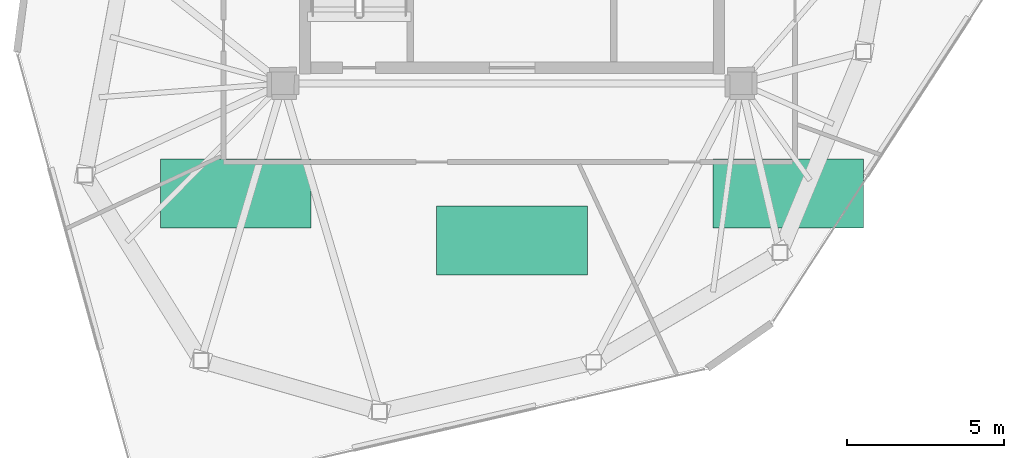
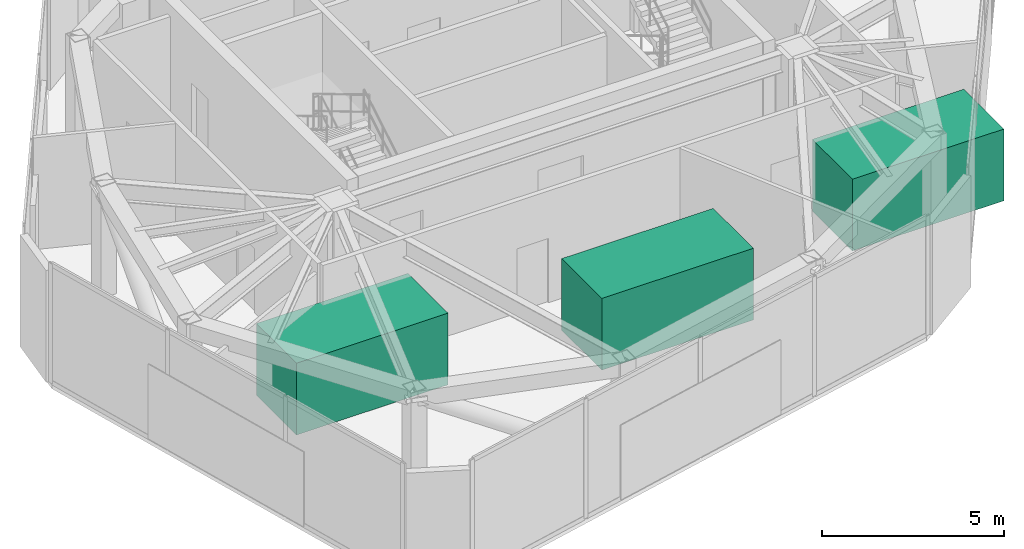
# One storey, part 21 of 21: 3 electric generators.
"""IFC4 building model written with IfcOpenShell, lengths in metres."""

import ifcopenshell
import ifcopenshell.guid

model = None  # the IFC model being written
_history = None  # IfcOwnerHistory: only IFC2X3 demands one
_inside = {}  # id of a spatial element -> (the spatial element, [elements in it])
_under = {}  # id of a project, library or spatial element -> (it, [spatial elements below it])
_declared = {}  # id of a project -> (the project, [libraries it declares])
_typed = {}  # id of a type object -> (the type object, [elements of that type])
_made_of = {}  # id of a material, layer set ... -> (it, [elements and type objects made of it])


def new_model(schema):
    """Start an empty IFC model of exactly this schema.

    Asked for "IFC4X3", IfcOpenShell would pick the latest addendum, in which some entities
    have other attributes; the version numbers below select the first issue.
    IFC2X3 requires an IfcOwnerHistory on every rooted entity: one is made here for all.
    """
    global model, _history
    if schema == "IFC4X3":
        model = ifcopenshell.file(schema_version=(4, 3, 0, 0))
    else:
        model = ifcopenshell.file(schema=schema)
    _inside.clear()
    _under.clear()
    _declared.clear()
    _typed.clear()
    _made_of.clear()
    _history = None
    if model.schema == "IFC2X3":
        org = make("IfcOrganization", Name="unknown")
        user = make(
            "IfcPersonAndOrganization",
            ThePerson=make("IfcPerson", FamilyName="unknown"),
            TheOrganization=org,
        )
        app = make(
            "IfcApplication",
            ApplicationDeveloper=org,
            Version="unknown",
            ApplicationFullName="unknown",
            ApplicationIdentifier="unknown",
        )
        _history = make(
            "IfcOwnerHistory",
            OwningUser=user,
            OwningApplication=app,
            ChangeAction="ADDED",
            CreationDate=0,
        )
    return model


def make(cls, **values):
    """One entity of the class cls with the attributes given. An attribute that is None is left unset."""
    return model.create_entity(
        cls, **{name: value for name, value in values.items() if value is not None}
    )


def rooted(cls, **values):
    """An entity with a GlobalId (a new one), such as an element, a storey or a relation."""
    return make(cls, GlobalId=ifcopenshell.guid.new(), OwnerHistory=_history, **values)


def si_unit(unit_type, name, prefix=None):
    """IfcSIUnit, for example si_unit("LENGTHUNIT", "METRE", prefix="MILLI")."""
    return make("IfcSIUnit", UnitType=unit_type, Prefix=prefix, Name=name)


def assignment(units):
    """IfcUnitAssignment: the units of a project."""
    return None if units is None else make("IfcUnitAssignment", Units=units)


def point(xyz):
    """IfcCartesianPoint."""
    return None if xyz is None else make("IfcCartesianPoint", Coordinates=xyz)


def direction(xyz):
    """IfcDirection."""
    return None if xyz is None else make("IfcDirection", DirectionRatios=xyz)


def frame(location, z_axis=None, x_axis=None):
    """IfcAxis2Placement3D, a coordinate frame: its origin and axes. An axis left out is left unset."""
    return make(
        "IfcAxis2Placement3D",
        Location=point(location),
        Axis=direction(z_axis),
        RefDirection=direction(x_axis),
    )


def frame_2d(location, x_axis=None):
    """IfcAxis2Placement2D, a coordinate frame in the plane: its origin and x axis."""
    return make(
        "IfcAxis2Placement2D", Location=point(location), RefDirection=direction(x_axis)
    )


def origin():
    """The frame at (0, 0, 0) with its axes left unset."""
    return frame((0.0, 0.0, 0.0))


def origin_2d():
    """The frame at (0, 0) in the plane with its x axis left unset."""
    return frame_2d((0.0, 0.0))


def place(relative_to, where):
    """IfcLocalPlacement: puts the frame where relative to a parent placement (None: the world)."""
    return make(
        "IfcLocalPlacement", PlacementRelTo=relative_to, RelativePlacement=where
    )


def context(
    kind, dimensions, precision=None, world=None, true_north=None, identifier=None
):
    """IfcGeometricRepresentationContext, for example the 3D "Model" context."""
    return make(
        "IfcGeometricRepresentationContext",
        ContextIdentifier=identifier,
        ContextType=kind,
        CoordinateSpaceDimension=dimensions,
        Precision=precision,
        WorldCoordinateSystem=world,
        TrueNorth=true_north,
    )


def subcontext(parent, identifier, kind, view, scale=None):
    """IfcGeometricRepresentationSubContext, for example "Body" below "Model"."""
    return make(
        "IfcGeometricRepresentationSubContext",
        ContextIdentifier=identifier,
        ContextType=kind,
        ParentContext=parent,
        TargetScale=scale,
        TargetView=view,
    )


def project(units=None, contexts=None):
    """IfcProject with its units and contexts."""
    return rooted(
        "IfcProject",
        Name="project",
        RepresentationContexts=contexts,
        UnitsInContext=assignment(units),
    )


def spatial(cls, under=None, at=None, **own):
    """A site, building, storey or space (cls), placed at a placement, below another one or the project."""
    s = rooted(cls, ObjectPlacement=at, **own)
    if under is not None:
        _under.setdefault(under.id(), (under, []))[1].append(s)
    return s


def profile(cls, at=None, kind="AREA", **sizes):
    """A parametric profile (cls). Its sizes go by their IFC names, for example OverallWidth=200.0."""
    return make(cls, ProfileType=kind, Position=at, **sizes)


def rectangle(**sizes):
    """IfcRectangleProfileDef."""
    return profile("IfcRectangleProfileDef", **sizes)


def extrude(swept, where, along, depth):
    """IfcExtrudedAreaSolid: the profile swept, set in the frame where, extruded along a direction by depth."""
    return make(
        "IfcExtrudedAreaSolid",
        SweptArea=swept,
        Position=where,
        ExtrudedDirection=direction(along),
        Depth=depth,
    )


def shape(context_of_items, identifier, shape_type, items):
    """IfcShapeRepresentation: the items that make up one representation, for example the "Body"."""
    return make(
        "IfcShapeRepresentation",
        ContextOfItems=context_of_items,
        RepresentationIdentifier=identifier,
        RepresentationType=shape_type,
        Items=items,
    )


def source(mapping_origin, context_of_items, identifier, shape_type, items):
    """IfcRepresentationMap: a shape defined once, which mapped items show again and again."""
    return make(
        "IfcRepresentationMap",
        MappingOrigin=mapping_origin,
        MappedRepresentation=shape(context_of_items, identifier, shape_type, items),
    )


def transform(
    local_origin,
    x_axis=None,
    y_axis=None,
    z_axis=None,
    scale=None,
    scale2=None,
    scale3=None,
    uniform=True,
):
    """IfcCartesianTransformationOperator3D, or its non-uniform kind. x_axis, y_axis, z_axis: its Axis1, 2, 3."""
    if uniform:
        return make(
            "IfcCartesianTransformationOperator3D",
            Axis1=direction(x_axis),
            Axis2=direction(y_axis),
            LocalOrigin=point(local_origin),
            Scale=scale,
            Axis3=direction(z_axis),
        )
    return make(
        "IfcCartesianTransformationOperator3DnonUniform",
        Axis1=direction(x_axis),
        Axis2=direction(y_axis),
        LocalOrigin=point(local_origin),
        Scale=scale,
        Axis3=direction(z_axis),
        Scale2=scale2,
        Scale3=scale3,
    )


def mapped(mapping_source, mapping_target):
    """IfcMappedItem: shows the shape of a source again, moved by a transform."""
    return make(
        "IfcMappedItem", MappingSource=mapping_source, MappingTarget=mapping_target
    )


def material(Name=None, Category=None):
    """IfcMaterial."""
    return make("IfcMaterial", Name=Name, Category=Category)


def made_of(thing, what):
    """Note that an element or type object is made of a material, layer set ...; save() writes the relation."""
    if what is not None:
        _made_of.setdefault(what.id(), (what, []))[1].append(thing)
    return thing


def type_object(cls, material=None, **own):
    """A type object (cls), such as IfcWallType, which elements share."""
    return made_of(rooted(cls, **own), material)


def type_shapes(of_type, sources):
    """Give a type object the sources (RepresentationMaps) that its elements show as mapped items."""
    of_type.RepresentationMaps = sources


def element(
    cls,
    number,
    at=None,
    inside=None,
    cuts=None,
    type_object=None,
    material=None,
    context=None,
    identifier="Body",
    shape_type=None,
    held_by="IfcProductDefinitionShape",
    body=None,
    shapes=None,
    **own,
):
    """One element of the class cls, such as IfcWall. Its Tag is "e" and its number.

    at: its placement. inside: the storey or other place that contains it. cuts: it is an
    opening in that element (IfcRelVoidsElement). A single representation is given by context,
    identifier, shape_type and body (its items); several are given by shapes. held_by: the class
    of the entity that holds the representations. save() writes the other relations.
    """
    e = rooted(cls, Tag="e%d" % number, ObjectPlacement=at, **own)
    if body is not None:
        shapes = [shape(context, identifier, shape_type, body)]
    if shapes is not None:
        e.Representation = make(held_by, Representations=shapes)
    if inside is not None:
        _inside.setdefault(inside.id(), (inside, []))[1].append(e)
    if cuts is not None:
        rooted(
            "IfcRelVoidsElement", RelatingBuildingElement=cuts, RelatedOpeningElement=e
        )
    if type_object is not None:
        _typed.setdefault(type_object.id(), (type_object, []))[1].append(e)
    return made_of(e, material)


def aggregate(whole, parts):
    """IfcRelAggregates: a whole, such as a stair, and the parts it consists of."""
    return rooted("IfcRelAggregates", RelatingObject=whole, RelatedObjects=parts)


def save(model, path):
    """Write the relations noted so far, then the file.

    IfcRelAggregates (storeys below a building ...), IfcRelContainedInSpatialStructure (elements
    in a storey), IfcRelDefinesByType, IfcRelAssociatesMaterial and IfcRelDeclares: one each for
    every whole, place, type object, material and project.
    """
    for whole, parts in _under.values():
        aggregate(whole, parts)
    for where, things in _inside.values():
        rooted(
            "IfcRelContainedInSpatialStructure",
            RelatedElements=things,
            RelatingStructure=where,
        )
    for kind, things in _typed.values():
        rooted("IfcRelDefinesByType", RelatedObjects=things, RelatingType=kind)
    for what, things in _made_of.values():
        rooted("IfcRelAssociatesMaterial", RelatedObjects=things, RelatingMaterial=what)
    for by, libraries in _declared.values():
        rooted("IfcRelDeclares", RelatingContext=by, RelatedDefinitions=libraries)
    model.write(path)


model = new_model("IFC4")

# Units and contexts
model_context = context("Model", 3, precision=1e-05, world=origin(), true_north=direction((0.0, 1.0)))
body_context = subcontext(model_context, "Body", "Model", "MODEL_VIEW")
ifc_project = project(units=[si_unit("LENGTHUNIT", "METRE"), si_unit("AREAUNIT", "SQUARE_METRE"), si_unit("VOLUMEUNIT", "CUBIC_METRE"), si_unit("PLANEANGLEUNIT", "RADIAN"), si_unit("MASSUNIT", "GRAM", prefix="KILO")], contexts=[model_context])

# Site, building, storey
site_placement = place(None, origin())
site = spatial("IfcSite", under=ifc_project, at=site_placement, CompositionType="ELEMENT")
building_placement = place(site_placement, origin())
building = spatial("IfcBuilding", under=site, at=building_placement, Name="Talar Marvaseh", CompositionType="ELEMENT")
storey_placement = place(building_placement, frame((0.0, 0.0, 308.0)))
storey = spatial("IfcBuildingStorey", under=building, at=storey_placement, Name="L82", CompositionType="ELEMENT", Elevation=308.0)

# Electric generators
ifc_material = material(Name="Architectural Aluminium", Category="aluminium")
electric_generator_type = type_object("IfcElectricGeneratorType", Name="Rooftop Centrifugal Chiller and Cooling Plant Skid", PredefinedType="STANDALONE", material=ifc_material)
shared_shape = source(origin(), body_context, "Body", "SweptSolid", [
    extrude(rectangle(XDim=4.800048828125, YDim=2.199951171875, at=origin_2d()), origin(), (0.0, 0.0, 1.0), 2.39990234375),
])
type_shapes(electric_generator_type, [shared_shape])
for number, where, z_axis, x_axis, name in (
    (1, (17.199951171875, 22.0, 0.0), (0.0, 0.0, 1.0), (1.0, 0.0, 0.0), "L82 Crown Mechanical Plant Chiller Skid 1"),
    (2, (34.800048828125, 22.0, 0.0), (0.0, 0.0, 1.0), (1.0, 0.0, 0.0), "L82 Crown Mechanical Plant Chiller Skid 2"),
    (3, (26.0, 20.5, 0.0), (0.0, 0.0, 1.0), (1.0, 0.0, 0.0), "L82 Crown Mechanical Plant Chiller Skid 3"),
):
    element("IfcElectricGenerator", number, at=place(storey_placement, frame(where, z_axis=z_axis, x_axis=x_axis)), inside=storey, type_object=electric_generator_type, Name=name, PredefinedType="STANDALONE", context=body_context, shape_type="MappedRepresentation", body=[
        mapped(shared_shape, transform((0.0, 0.0, 0.0), x_axis=(1.0, 0.0, 0.0), y_axis=(0.0, 1.0, 0.0), z_axis=(0.0, 0.0, 1.0), scale=1.0)),
    ])

save(model, "model.ifc")
